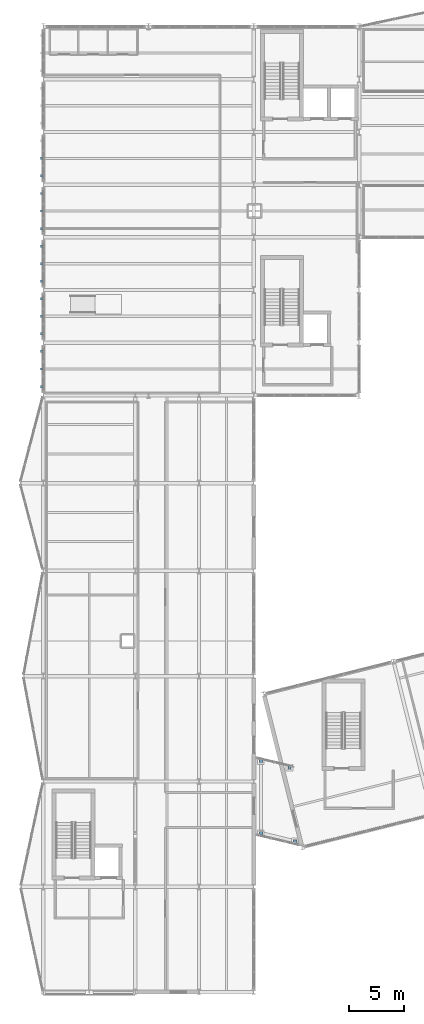
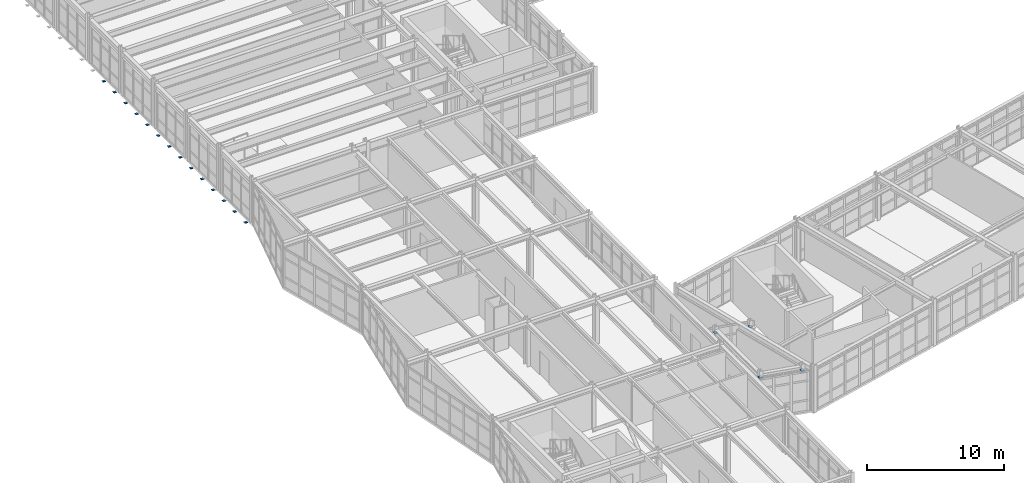
# One storey, part 70 of 76: 18 discrete accessories.
"""IFC4 building model written with IfcOpenShell, lengths in metres."""

from ifc_helpers import new_model, si_unit, direction, frame, origin, origin_2d, place, context, subcontext, project, spatial, rectangle, extrude, material, layer, layer_set, type_object, element, save


model = new_model("IFC4")

# Units and contexts
model_context = context("Model", 3, precision=1e-05, world=origin(), true_north=direction((0.0, 1.0)))
body_context = subcontext(model_context, "Body", "Model", "MODEL_VIEW")
ifc_project = project(units=[si_unit("LENGTHUNIT", "METRE"), si_unit("AREAUNIT", "SQUARE_METRE"), si_unit("VOLUMEUNIT", "CUBIC_METRE"), si_unit("PLANEANGLEUNIT", "RADIAN"), si_unit("MASSUNIT", "GRAM", prefix="KILO")], contexts=[model_context])

# Site, building, storey
site_placement = place(None, origin())
site = spatial("IfcSite", under=ifc_project, at=site_placement, CompositionType="ELEMENT")
building_placement = place(site_placement, origin())
building = spatial("IfcBuilding", under=site, at=building_placement, Name="Nordkorset Police Headquarters", CompositionType="ELEMENT")
storey_placement = place(building_placement, frame((0.0, 0.0, 13.64990234375)))
storey = spatial("IfcBuildingStorey", under=building, at=storey_placement, Name="L03", CompositionType="ELEMENT", Elevation=13.64990234375)

# Discrete accessories
ifc_material_1 = material(Name="Steel S355J2", Category="steel")
ifc_layer_1 = layer(ifc_material_1, 0.02490234375, Name="Steel S355J2")
ifc_layer_set_1 = layer_set([ifc_layer_1], Name="Steel S355J2")
discrete_accessory_type_1 = type_object("IfcDiscreteAccessoryType", Name="Fin_Outrigger_Bracket", PredefinedType="BRACKET", material=ifc_layer_set_1)
for number, where, z_axis, x_axis, name in (
    (1, (-0.14990234375, 84.0, -0.262451171875), (0.0, 0.0, 1.0), (1.0, 0.0, 0.0), "Timber Fin Outrigger Bracket W-001-L03"),
    (2, (-0.14990234375, 85.60009765625, -0.262451171875), (0.0, 0.0, 1.0), (1.0, 0.0, 0.0), "Timber Fin Outrigger Bracket W-002-L03"),
    (3, (-0.14990234375, 87.199951171875, -0.262451171875), (0.0, 0.0, 1.0), (1.0, 0.0, 0.0), "Timber Fin Outrigger Bracket W-003-L03"),
    (4, (-0.14990234375, 88.800048828125, -0.262451171875), (0.0, 0.0, 1.0), (1.0, 0.0, 0.0), "Timber Fin Outrigger Bracket W-004-L03"),
    (5, (-0.14990234375, 90.39990234375, -0.262451171875), (0.0, 0.0, 1.0), (1.0, 0.0, 0.0), "Timber Fin Outrigger Bracket W-005-L03"),
    (6, (-0.14990234375, 92.0, -0.262451171875), (0.0, 0.0, 1.0), (1.0, 0.0, 0.0), "Timber Fin Outrigger Bracket W-006-L03"),
    (7, (-0.14990234375, 93.60009765625, -0.262451171875), (0.0, 0.0, 1.0), (1.0, 0.0, 0.0), "Timber Fin Outrigger Bracket W-007-L03"),
    (8, (-0.14990234375, 95.199951171875, -0.262451171875), (0.0, 0.0, 1.0), (1.0, 0.0, 0.0), "Timber Fin Outrigger Bracket W-008-L03"),
    (9, (-0.14990234375, 96.800048828125, -0.262451171875), (0.0, 0.0, 1.0), (1.0, 0.0, 0.0), "Timber Fin Outrigger Bracket W-009-L03"),
    (10, (-0.14990234375, 98.39990234375, -0.262451171875), (0.0, 0.0, 1.0), (1.0, 0.0, 0.0), "Timber Fin Outrigger Bracket W-010-L03"),
    (11, (-0.14990234375, 100.0, -0.262451171875), (0.0, 0.0, 1.0), (1.0, 0.0, 0.0), "Timber Fin Outrigger Bracket W-011-L03"),
    (12, (-0.14990234375, 101.60009765625, -0.262451171875), (0.0, 0.0, 1.0), (1.0, 0.0, 0.0), "Timber Fin Outrigger Bracket W-012-L03"),
    (13, (-0.14990234375, 103.199951171875, -0.262451171875), (0.0, 0.0, 1.0), (1.0, 0.0, 0.0), "Timber Fin Outrigger Bracket W-013-L03"),
    (14, (-0.14990234375, 104.800048828125, -0.262451171875), (0.0, 0.0, 1.0), (1.0, 0.0, 0.0), "Timber Fin Outrigger Bracket W-014-L03"),
):
    element("IfcDiscreteAccessory", number, at=place(storey_placement, frame(where, z_axis=z_axis, x_axis=x_axis)), inside=storey, type_object=discrete_accessory_type_1, Name=name, PredefinedType="BRACKET", context=body_context, shape_type="SweptSolid", body=[
        extrude(rectangle(XDim=0.219970703125, YDim=0.219970703125, at=origin_2d()), origin(), (0.0, 0.0, 1.0), 0.02490234375),
    ])
ifc_material_2 = material(Name="Steel S355J2", Category="steel")
ifc_layer_2 = layer(ifc_material_2, 0.0400390625, Name="Steel S355J2")
ifc_layer_set_2 = layer_set([ifc_layer_2], Name="Steel S355J2")
discrete_accessory_type_2 = type_object("IfcDiscreteAccessoryType", Name="PTFE_Sliding_Bearing", PredefinedType="USERDEFINED", material=ifc_layer_set_2)
for number, where, z_axis, x_axis, name in (
    (15, (19.85009765625, 43.300048828125, 3.571044921875), (0.0, 0.0, 1.0), (1.0, 0.0, 0.0), "Unguided PTFE Sliding Bridge Bearing BRG-W L03"),
    (16, (22.949951171875, 42.550048828125, 3.571044921875), (0.0, 0.0, 1.0), (1.0, 0.0, 0.0), "Unguided PTFE Sliding Bridge Bearing BRG-W L03"),
    (17, (19.85009765625, 49.85009765625, 3.571044921875), (0.0, 0.0, 1.0), (1.0, 0.0, 0.0), "Unguided PTFE Sliding Bridge Bearing BRG-W L03"),
    (18, (22.449951171875, 49.25, 3.571044921875), (0.0, 0.0, 1.0), (1.0, 0.0, 0.0), "Unguided PTFE Sliding Bridge Bearing BRG-W L03"),
):
    element("IfcDiscreteAccessory", number, at=place(storey_placement, frame(where, z_axis=z_axis, x_axis=x_axis)), inside=storey, type_object=discrete_accessory_type_2, Name=name, ObjectType="SLIDING BEARING", PredefinedType="USERDEFINED", context=body_context, shape_type="SweptSolid", body=[
        extrude(rectangle(XDim=0.280029296875, YDim=0.280029296875, at=origin_2d()), origin(), (0.0, 0.0, 1.0), 0.0400390625),
    ])

save(model, "model.ifc")
